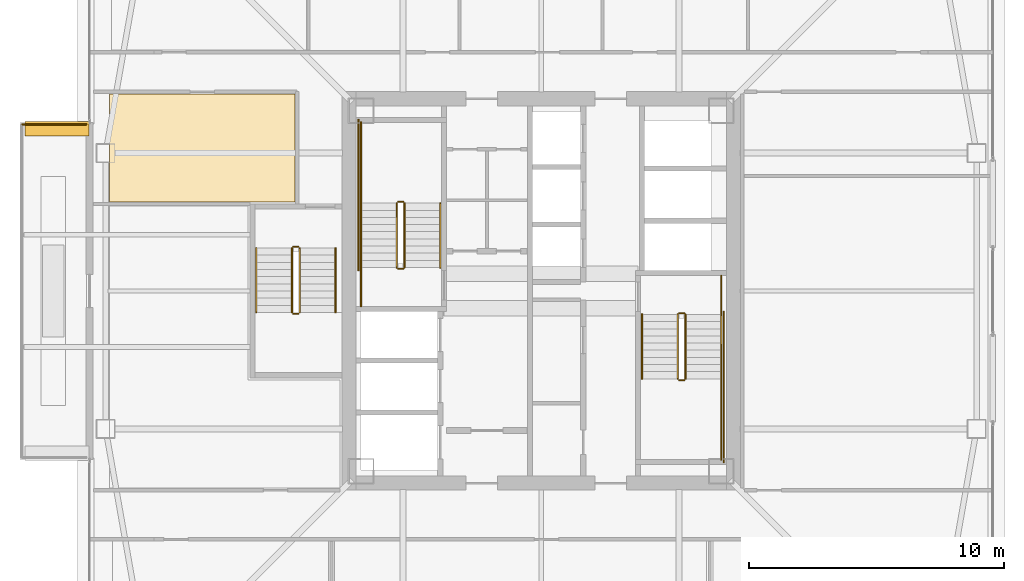
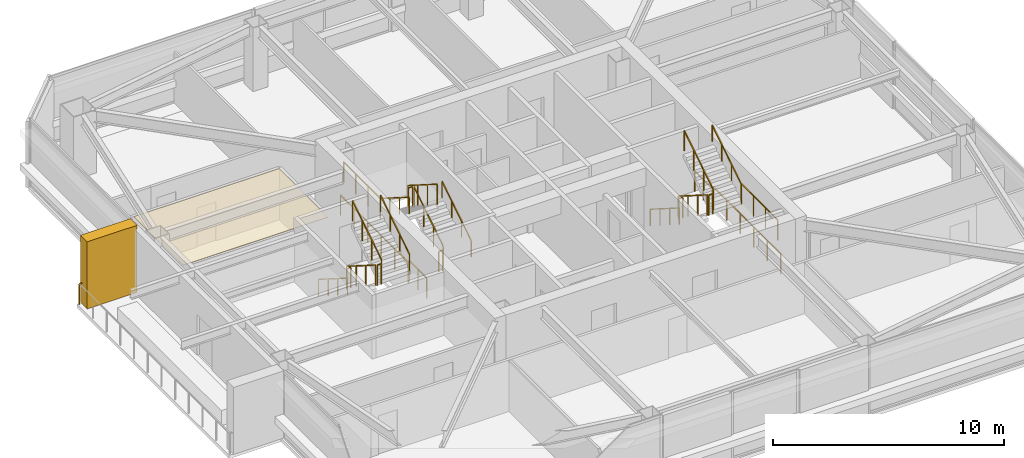
# One storey, part 38 of 43: 25 railings, 2 coverings.
"""IFC4 building model written with IfcOpenShell, lengths in metres."""

from ifc_helpers import new_model, si_unit, direction, frame, origin, origin_2d, place, context, subcontext, project, spatial, polyline, rectangle, outline, extrude, material, layer, layer_set, type_object, element, save


model = new_model("IFC4")

# Units and contexts
model_context = context("Model", 3, precision=1e-05, world=origin(), true_north=direction((0.0, 1.0)))
body_context = subcontext(model_context, "Body", "Model", "MODEL_VIEW")
ifc_project = project(units=[si_unit("LENGTHUNIT", "METRE"), si_unit("AREAUNIT", "SQUARE_METRE"), si_unit("VOLUMEUNIT", "CUBIC_METRE"), si_unit("PLANEANGLEUNIT", "RADIAN"), si_unit("MASSUNIT", "GRAM", prefix="KILO")], contexts=[model_context])

# Site, building, storey
site_placement = place(None, origin())
site = spatial("IfcSite", under=ifc_project, at=site_placement, CompositionType="ELEMENT")
building_placement = place(site_placement, origin())
building = spatial("IfcBuilding", under=site, at=building_placement, Name="Tashvorn Skyway Center", CompositionType="ELEMENT")
storey_placement = place(building_placement, frame((0.0, 0.0, 188.949951171875)))
storey = spatial("IfcBuildingStorey", under=building, at=storey_placement, Name="L51", CompositionType="ELEMENT", Elevation=188.949951171875)

# Coverings
ifc_material_1 = material(Name="Mineral-fibre acoustic ceiling tile on suspended grid")
ifc_layer_1 = layer(ifc_material_1, 0.02001953125)
ifc_layer_set_1 = layer_set([ifc_layer_1], Name="Mineral-fibre acoustic ceiling tile on suspended grid")
covering_type_1 = type_object("IfcCoveringType", Name="COV-CEIL-20", PredefinedType="CEILING", material=ifc_layer_set_1)
covering_1_placement = place(storey_placement, frame((0.0, 0.0, 2.703125)))
element("IfcCovering", 1, at=covering_1_placement, inside=storey, type_object=covering_type_1, Name="Tower 1 L51 Design Studio Acoustic Ceiling", PredefinedType="CEILING", context=body_context, shape_type="SweptSolid", body=[
    extrude(outline(polyline([(32.3701171875, 39.719970703125), (32.3701171875, 35.47998046875), (25.10009765625, 35.47998046875), (25.10009765625, 39.719970703125), (32.3701171875, 39.719970703125)])), origin(), (0.0, 0.0, 1.0), 0.02001953125),
])
ifc_material_2 = material(Name="Precast concrete C40/50", Category="concrete")
ifc_layer_2 = layer(ifc_material_2, 0.35009765625)
ifc_layer_set_2 = layer_set([ifc_layer_2], Name="Precast concrete C40/50")
covering_type_2 = type_object("IfcCoveringType", Name="COV-STONE-TRIM", PredefinedType="CLADDING", material=ifc_layer_set_2)
covering_2_placement = place(storey_placement, frame((23.050048828125, 38.35009765625, 0.0), z_axis=(0.0, 0.0, 1.0), x_axis=(0.0, 1.0, 0.0)))
element("IfcCovering", 2, at=covering_2_placement, inside=storey, type_object=covering_type_2, Name="Tower 1 L51 Sky Garden Loggia Pier R", PredefinedType="CLADDING", context=body_context, shape_type="SweptSolid", body=[
    extrude(rectangle(XDim=0.580078125, YDim=2.5, at=origin_2d()), origin(), (0.0, 0.0, 1.0), 3.550048828125),
])

# Railings
ifc_material_3 = material(Name="Galvanized steel S355", Category="steel")
railing_type_1 = type_object("IfcRailingType", Name="RAIL-GUARD-1120", PredefinedType="GUARDRAIL", material=ifc_material_3)
railing_1_placement = place(storey_placement, frame((21.679931640625, 38.52001953125, 0.0)))
element("IfcRailing", 3, at=railing_1_placement, inside=storey, type_object=railing_type_1, Name="L51 Tower 1 Terrace Guardrail 03", PredefinedType="GUARDRAIL", context=body_context, shape_type="SweptSolid", body=[
    extrude(rectangle(XDim=0.048095703125, YDim=0.048095703125, at=origin_2d()), frame((0.0, 0.0, 1.09619140625), z_axis=(1.0, 0.0, 0.0), x_axis=(0.0, 1.0, 0.0)), (0.0, 0.0, 1.0), 2.52001953125),
    extrude(rectangle(XDim=0.0419921875, YDim=0.0419921875, at=origin_2d()), origin(), (0.0, 0.0, 1.0), 1.072021484375),
    extrude(rectangle(XDim=0.0419921875, YDim=0.0419921875, at=origin_2d()), frame((0.840087890625, 0.0, 0.0)), (0.0, 0.0, 1.0), 1.072021484375),
    extrude(rectangle(XDim=0.0419921875, YDim=0.0419921875, at=origin_2d()), frame((1.679931640625, 0.0, 0.0)), (0.0, 0.0, 1.0), 1.072021484375),
    extrude(rectangle(XDim=0.0419921875, YDim=0.0419921875, at=origin_2d()), frame((2.52001953125, 0.0, 0.0)), (0.0, 0.0, 1.0), 1.072021484375),
])
ifc_material_4 = material(Name="Brushed stainless steel 316", Category="steel")
railing_type_2 = type_object("IfcRailingType", Name="RAIL-HAND-920", PredefinedType="HANDRAIL", material=ifc_material_4)
railing_2_placement = place(storey_placement, frame((38.050048828125, 32.919921875, 0.177490234375)))
element("IfcRailing", 4, at=railing_2_placement, inside=storey, type_object=railing_type_2, Name="L51 ST-T1-1 stair handrail 1", PredefinedType="HANDRAIL", context=body_context, shape_type="SweptSolid", body=[
    extrude(rectangle(XDim=0.048095703125, YDim=0.048095703125, at=origin_2d()), frame((0.0, 0.0, 0.8759765625), z_axis=(0.0, 0.84456994832, 0.535445237532), x_axis=(-1.0, 0.0, 0.0)), (0.0, 0.0, 1.0), 2.98388671875),
    extrude(rectangle(XDim=0.0419921875, YDim=0.0419921875, at=origin_2d()), origin(), (0.0, 0.0, 1.0), 0.851806640625),
    extrude(rectangle(XDim=0.0419921875, YDim=0.0419921875, at=origin_2d()), frame((0.0, 0.840087890625, 0.532470703125)), (0.0, 0.0, 1.0), 0.851806640625),
    extrude(rectangle(XDim=0.0419921875, YDim=0.0419921875, at=origin_2d()), frame((0.0, 1.679931640625, 1.065185546875)), (0.0, 0.0, 1.0), 0.851806640625),
    extrude(rectangle(XDim=0.0419921875, YDim=0.0419921875, at=origin_2d()), frame((0.0, 2.52001953125, 1.59765625)), (0.0, 0.0, 1.0), 0.851806640625),
])
railing_3_placement = place(storey_placement, frame((34.949951171875, 35.43994140625, 1.95263671875)))
element("IfcRailing", 5, at=railing_3_placement, inside=storey, type_object=railing_type_2, Name="L51 ST-T1-1 stair handrail 2", PredefinedType="HANDRAIL", context=body_context, shape_type="SweptSolid", body=[
    extrude(rectangle(XDim=0.048095703125, YDim=0.048095703125, at=origin_2d()), frame((0.0, 0.0, 0.8759765625), z_axis=(0.0, -0.84460694969, 0.535386869969), x_axis=(1.0, 0.0, 0.0)), (0.0, 0.0, 1.0), 2.983642578125),
    extrude(rectangle(XDim=0.0419921875, YDim=0.0419921875, at=origin_2d()), origin(), (0.0, 0.0, 1.0), 0.851806640625),
    extrude(rectangle(XDim=0.0419921875, YDim=0.0419921875, at=origin_2d()), frame((0.0, -0.840087890625, 0.532470703125)), (0.0, 0.0, 1.0), 0.851806640625),
    extrude(rectangle(XDim=0.0419921875, YDim=0.0419921875, at=origin_2d()), frame((0.0, -1.679931640625, 1.06494140625)), (0.0, 0.0, 1.0), 0.851806640625),
    extrude(rectangle(XDim=0.0419921875, YDim=0.0419921875, at=origin_2d()), frame((0.0, -2.52001953125, 1.597412109375)), (0.0, 0.0, 1.0), 0.851806640625),
])
railing_4_placement = place(storey_placement, frame((45.949951171875, 31.080078125, 0.177490234375)))
element("IfcRailing", 6, at=railing_4_placement, inside=storey, type_object=railing_type_2, Name="L51 ST-T1-2 stair handrail 1", PredefinedType="HANDRAIL", context=body_context, shape_type="SweptSolid", body=[
    extrude(rectangle(XDim=0.048095703125, YDim=0.048095703125, at=origin_2d()), frame((0.0, 0.0, 0.8759765625), z_axis=(0.0, -0.84456994832, 0.535445237532), x_axis=(1.0, 0.0, 0.0)), (0.0, 0.0, 1.0), 2.98388671875),
    extrude(rectangle(XDim=0.0419921875, YDim=0.0419921875, at=origin_2d()), origin(), (0.0, 0.0, 1.0), 0.851806640625),
    extrude(rectangle(XDim=0.0419921875, YDim=0.0419921875, at=origin_2d()), frame((0.0, -0.840087890625, 0.532470703125)), (0.0, 0.0, 1.0), 0.851806640625),
    extrude(rectangle(XDim=0.0419921875, YDim=0.0419921875, at=origin_2d()), frame((0.0, -1.679931640625, 1.065185546875)), (0.0, 0.0, 1.0), 0.851806640625),
    extrude(rectangle(XDim=0.0419921875, YDim=0.0419921875, at=origin_2d()), frame((0.0, -2.52001953125, 1.59765625)), (0.0, 0.0, 1.0), 0.851806640625),
])
railing_5_placement = place(storey_placement, frame((49.050048828125, 28.56005859375, 1.95263671875)))
element("IfcRailing", 7, at=railing_5_placement, inside=storey, type_object=railing_type_2, Name="L51 ST-T1-2 stair handrail 2", PredefinedType="HANDRAIL", context=body_context, shape_type="SweptSolid", body=[
    extrude(rectangle(XDim=0.048095703125, YDim=0.048095703125, at=origin_2d()), frame((0.0, 0.0, 0.8759765625), z_axis=(0.0, 0.84460694969, 0.535386869969), x_axis=(-1.0, 0.0, 0.0)), (0.0, 0.0, 1.0), 2.983642578125),
    extrude(rectangle(XDim=0.0419921875, YDim=0.0419921875, at=origin_2d()), origin(), (0.0, 0.0, 1.0), 0.851806640625),
    extrude(rectangle(XDim=0.0419921875, YDim=0.0419921875, at=origin_2d()), frame((0.0, 0.840087890625, 0.532470703125)), (0.0, 0.0, 1.0), 0.851806640625),
    extrude(rectangle(XDim=0.0419921875, YDim=0.0419921875, at=origin_2d()), frame((0.0, 1.679931640625, 1.06494140625)), (0.0, 0.0, 1.0), 0.851806640625),
    extrude(rectangle(XDim=0.0419921875, YDim=0.0419921875, at=origin_2d()), frame((0.0, 2.52001953125, 1.597412109375)), (0.0, 0.0, 1.0), 0.851806640625),
])
railing_6_placement = place(storey_placement, frame((30.85009765625, 33.679931640625, 0.177490234375)))
element("IfcRailing", 8, at=railing_6_placement, inside=storey, type_object=railing_type_2, Name="L51 ST-T1-3 stair handrail 1", PredefinedType="HANDRAIL", context=body_context, shape_type="SweptSolid", body=[
    extrude(rectangle(XDim=0.048095703125, YDim=0.048095703125, at=origin_2d()), frame((0.0, 0.0, 0.8759765625), z_axis=(0.0, -0.84456994832, 0.535445237532), x_axis=(1.0, 0.0, 0.0)), (0.0, 0.0, 1.0), 2.98388671875),
    extrude(rectangle(XDim=0.0419921875, YDim=0.0419921875, at=origin_2d()), origin(), (0.0, 0.0, 1.0), 0.851806640625),
    extrude(rectangle(XDim=0.0419921875, YDim=0.0419921875, at=origin_2d()), frame((0.0, -0.840087890625, 0.532470703125)), (0.0, 0.0, 1.0), 0.851806640625),
    extrude(rectangle(XDim=0.0419921875, YDim=0.0419921875, at=origin_2d()), frame((0.0, -1.679931640625, 1.065185546875)), (0.0, 0.0, 1.0), 0.851806640625),
    extrude(rectangle(XDim=0.0419921875, YDim=0.0419921875, at=origin_2d()), frame((0.0, -2.52001953125, 1.59765625)), (0.0, 0.0, 1.0), 0.851806640625),
])
railing_7_placement = place(storey_placement, frame((33.949951171875, 31.159912109375, 1.95263671875)))
element("IfcRailing", 9, at=railing_7_placement, inside=storey, type_object=railing_type_2, Name="L51 ST-T1-3 stair handrail 2", PredefinedType="HANDRAIL", context=body_context, shape_type="SweptSolid", body=[
    extrude(rectangle(XDim=0.048095703125, YDim=0.048095703125, at=origin_2d()), frame((0.0, 0.0, 0.8759765625), z_axis=(0.0, 0.84460694969, 0.535386869969), x_axis=(-1.0, 0.0, 0.0)), (0.0, 0.0, 1.0), 2.983642578125),
    extrude(rectangle(XDim=0.0419921875, YDim=0.0419921875, at=origin_2d()), origin(), (0.0, 0.0, 1.0), 0.851806640625),
    extrude(rectangle(XDim=0.0419921875, YDim=0.0419921875, at=origin_2d()), frame((0.0, 0.840087890625, 0.532470703125)), (0.0, 0.0, 1.0), 0.851806640625),
    extrude(rectangle(XDim=0.0419921875, YDim=0.0419921875, at=origin_2d()), frame((0.0, 1.679931640625, 1.06494140625)), (0.0, 0.0, 1.0), 0.851806640625),
    extrude(rectangle(XDim=0.0419921875, YDim=0.0419921875, at=origin_2d()), frame((0.0, 2.52001953125, 1.597412109375)), (0.0, 0.0, 1.0), 0.851806640625),
])
ifc_material_5 = material(Name="Painted galvanized steel S355", Category="steel")
railing_type_3 = type_object("IfcRailingType", Name="RAIL-STGUARD-1100", PredefinedType="GUARDRAIL", material=ifc_material_5)
railing_8_placement = place(storey_placement, frame((36.64990234375, 32.919921875, 0.177490234375)))
element("IfcRailing", 10, at=railing_8_placement, inside=storey, type_object=railing_type_3, Name="L51 ST-T1-1 stair guard 1", PredefinedType="GUARDRAIL", context=body_context, shape_type="SweptSolid", body=[
    extrude(rectangle(XDim=0.048095703125, YDim=0.048095703125, at=origin_2d()), frame((0.0, 0.0, 1.076171875), z_axis=(0.0, 0.84456994832, 0.535445237532), x_axis=(-1.0, 0.0, 0.0)), (0.0, 0.0, 1.0), 2.98388671875),
    extrude(rectangle(XDim=0.0419921875, YDim=0.0419921875, at=origin_2d()), origin(), (0.0, 0.0, 1.0), 1.052001953125),
    extrude(rectangle(XDim=0.0419921875, YDim=0.0419921875, at=origin_2d()), frame((0.0, 0.840087890625, 0.532470703125)), (0.0, 0.0, 1.0), 1.052001953125),
    extrude(rectangle(XDim=0.0419921875, YDim=0.0419921875, at=origin_2d()), frame((0.0, 1.679931640625, 1.065185546875)), (0.0, 0.0, 1.0), 1.052001953125),
    extrude(rectangle(XDim=0.0419921875, YDim=0.0419921875, at=origin_2d()), frame((0.0, 2.52001953125, 1.59765625)), (0.0, 0.0, 1.0), 1.052001953125),
])
railing_9_placement = place(storey_placement, frame((36.60009765625, 35.489990234375, 1.775146484375)))
element("IfcRailing", 11, at=railing_9_placement, inside=storey, type_object=railing_type_3, Name="L51 ST-T1-1 stair guard 2", PredefinedType="GUARDRAIL", context=body_context, shape_type="SweptSolid", body=[
    extrude(rectangle(XDim=0.048095703125, YDim=0.048095703125, at=origin_2d()), frame((0.0, 0.0, 1.076171875), z_axis=(-1.0, 0.0, 0.0), x_axis=(0.0, -1.0, 0.0)), (0.0, 0.0, 1.0), 0.2001953125),
    extrude(rectangle(XDim=0.0419921875, YDim=0.0419921875, at=origin_2d()), origin(), (0.0, 0.0, 1.0), 1.052001953125),
    extrude(rectangle(XDim=0.0419921875, YDim=0.0419921875, at=origin_2d()), frame((-0.2001953125, 0.0, 0.0)), (0.0, 0.0, 1.0), 1.052001953125),
])
railing_10_placement = place(storey_placement, frame((34.949951171875, 35.43994140625, 1.775146484375)))
element("IfcRailing", 12, at=railing_10_placement, inside=storey, type_object=railing_type_3, Name="L51 ST-T1-1 stair guard 3", PredefinedType="GUARDRAIL", context=body_context, shape_type="SweptSolid", body=[
    extrude(rectangle(XDim=0.048095703125, YDim=0.048095703125, at=origin_2d()), frame((0.0, 0.0, 1.076171875), z_axis=(0.0, 1.0, 0.0), x_axis=(-1.0, 0.0, 0.0)), (0.0, 0.0, 1.0), 3.16015625),
    extrude(rectangle(XDim=0.0419921875, YDim=0.0419921875, at=origin_2d()), origin(), (0.0, 0.0, 1.0), 1.052001953125),
    extrude(rectangle(XDim=0.0419921875, YDim=0.0419921875, at=origin_2d()), frame((0.0, 1.053466796875, 0.0)), (0.0, 0.0, 1.0), 1.052001953125),
    extrude(rectangle(XDim=0.0419921875, YDim=0.0419921875, at=origin_2d()), frame((0.0, 2.106689453125, 0.0)), (0.0, 0.0, 1.0), 1.052001953125),
    extrude(rectangle(XDim=0.0419921875, YDim=0.0419921875, at=origin_2d()), frame((0.0, 3.16015625, 0.0)), (0.0, 0.0, 1.0), 1.052001953125),
])
railing_11_placement = place(storey_placement, frame((36.35009765625, 35.43994140625, 1.95263671875)))
element("IfcRailing", 13, at=railing_11_placement, inside=storey, type_object=railing_type_3, Name="L51 ST-T1-1 stair guard 4", PredefinedType="GUARDRAIL", context=body_context, shape_type="SweptSolid", body=[
    extrude(rectangle(XDim=0.048095703125, YDim=0.048095703125, at=origin_2d()), frame((0.0, 0.0, 1.076171875), z_axis=(0.0, -0.84460694969, 0.535386869969), x_axis=(1.0, 0.0, 0.0)), (0.0, 0.0, 1.0), 2.983642578125),
    extrude(rectangle(XDim=0.0419921875, YDim=0.0419921875, at=origin_2d()), origin(), (0.0, 0.0, 1.0), 1.052001953125),
    extrude(rectangle(XDim=0.0419921875, YDim=0.0419921875, at=origin_2d()), frame((0.0, -0.840087890625, 0.532470703125)), (0.0, 0.0, 1.0), 1.052001953125),
    extrude(rectangle(XDim=0.0419921875, YDim=0.0419921875, at=origin_2d()), frame((0.0, -1.679931640625, 1.06494140625)), (0.0, 0.0, 1.0), 1.052001953125),
    extrude(rectangle(XDim=0.0419921875, YDim=0.0419921875, at=origin_2d()), frame((0.0, -2.52001953125, 1.597412109375)), (0.0, 0.0, 1.0), 1.052001953125),
])
railing_12_placement = place(storey_placement, frame((36.60009765625, 32.8701171875, 0.0)))
element("IfcRailing", 14, at=railing_12_placement, inside=storey, type_object=railing_type_3, Name="L51 ST-T1-1 stair guard 5", PredefinedType="GUARDRAIL", context=body_context, shape_type="SweptSolid", body=[
    extrude(rectangle(XDim=0.048095703125, YDim=0.048095703125, at=origin_2d()), frame((0.0, 0.0, 1.076171875), z_axis=(-1.0, 0.0, 0.0), x_axis=(0.0, -1.0, 0.0)), (0.0, 0.0, 1.0), 0.2001953125),
    extrude(rectangle(XDim=0.0419921875, YDim=0.0419921875, at=origin_2d()), origin(), (0.0, 0.0, 1.0), 1.052001953125),
    extrude(rectangle(XDim=0.0419921875, YDim=0.0419921875, at=origin_2d()), frame((-0.2001953125, 0.0, 0.0)), (0.0, 0.0, 1.0), 1.052001953125),
])
railing_13_placement = place(storey_placement, frame((34.949951171875, 31.39990234375, 0.0)))
element("IfcRailing", 15, at=railing_13_placement, inside=storey, type_object=railing_type_3, Name="L51 ST-T1-1 stair guard 6", PredefinedType="GUARDRAIL", context=body_context, shape_type="SweptSolid", body=[
    extrude(rectangle(XDim=0.048095703125, YDim=0.048095703125, at=origin_2d()), frame((0.0, 0.0, 1.076171875), z_axis=(0.0, 1.0, 0.0), x_axis=(-1.0, 0.0, 0.0)), (0.0, 0.0, 1.0), 1.52001953125),
    extrude(rectangle(XDim=0.0419921875, YDim=0.0419921875, at=origin_2d()), origin(), (0.0, 0.0, 1.0), 1.052001953125),
    extrude(rectangle(XDim=0.0419921875, YDim=0.0419921875, at=origin_2d()), frame((0.0, 0.760009765625, 0.0)), (0.0, 0.0, 1.0), 1.052001953125),
    extrude(rectangle(XDim=0.0419921875, YDim=0.0419921875, at=origin_2d()), frame((0.0, 1.52001953125, 0.0)), (0.0, 0.0, 1.0), 1.052001953125),
])
railing_14_placement = place(storey_placement, frame((34.85009765625, 32.820068359375, 0.0)))
element("IfcRailing", 16, at=railing_14_placement, inside=storey, type_object=railing_type_3, Name="L51 ST-T1-1 stair guard 7", PredefinedType="GUARDRAIL", context=body_context, shape_type="SweptSolid", body=[
    extrude(rectangle(XDim=0.048095703125, YDim=0.048095703125, at=origin_2d()), frame((0.0, 0.0, 1.076171875), z_axis=(0.0, 1.0, 0.0), x_axis=(-1.0, 0.0, 0.0)), (0.0, 0.0, 1.0), 5.8798828125),
    extrude(rectangle(XDim=0.0419921875, YDim=0.0419921875, at=origin_2d()), origin(), (0.0, 0.0, 1.0), 1.052001953125),
    extrude(rectangle(XDim=0.0419921875, YDim=0.0419921875, at=origin_2d()), frame((0.0, 1.176025390625, 0.0)), (0.0, 0.0, 1.0), 1.052001953125),
    extrude(rectangle(XDim=0.0419921875, YDim=0.0419921875, at=origin_2d()), frame((0.0, 2.35205078125, 0.0)), (0.0, 0.0, 1.0), 1.052001953125),
    extrude(rectangle(XDim=0.0419921875, YDim=0.0419921875, at=origin_2d()), frame((0.0, 3.52783203125, 0.0)), (0.0, 0.0, 1.0), 1.052001953125),
    extrude(rectangle(XDim=0.0419921875, YDim=0.0419921875, at=origin_2d()), frame((0.0, 4.703857421875, 0.0)), (0.0, 0.0, 1.0), 1.052001953125),
    extrude(rectangle(XDim=0.0419921875, YDim=0.0419921875, at=origin_2d()), frame((0.0, 5.8798828125, 0.0)), (0.0, 0.0, 1.0), 1.052001953125),
])
railing_15_placement = place(storey_placement, frame((47.35009765625, 31.080078125, 0.177490234375)))
element("IfcRailing", 17, at=railing_15_placement, inside=storey, type_object=railing_type_3, Name="L51 ST-T1-2 stair guard 1", PredefinedType="GUARDRAIL", context=body_context, shape_type="SweptSolid", body=[
    extrude(rectangle(XDim=0.048095703125, YDim=0.048095703125, at=origin_2d()), frame((0.0, 0.0, 1.076171875), z_axis=(0.0, -0.84456994832, 0.535445237532), x_axis=(1.0, 0.0, 0.0)), (0.0, 0.0, 1.0), 2.98388671875),
    extrude(rectangle(XDim=0.0419921875, YDim=0.0419921875, at=origin_2d()), origin(), (0.0, 0.0, 1.0), 1.052001953125),
    extrude(rectangle(XDim=0.0419921875, YDim=0.0419921875, at=origin_2d()), frame((0.0, -0.840087890625, 0.532470703125)), (0.0, 0.0, 1.0), 1.052001953125),
    extrude(rectangle(XDim=0.0419921875, YDim=0.0419921875, at=origin_2d()), frame((0.0, -1.679931640625, 1.065185546875)), (0.0, 0.0, 1.0), 1.052001953125),
    extrude(rectangle(XDim=0.0419921875, YDim=0.0419921875, at=origin_2d()), frame((0.0, -2.52001953125, 1.59765625)), (0.0, 0.0, 1.0), 1.052001953125),
])
railing_16_placement = place(storey_placement, frame((47.39990234375, 28.510009765625, 1.775146484375)))
element("IfcRailing", 18, at=railing_16_placement, inside=storey, type_object=railing_type_3, Name="L51 ST-T1-2 stair guard 2", PredefinedType="GUARDRAIL", context=body_context, shape_type="SweptSolid", body=[
    extrude(rectangle(XDim=0.048095703125, YDim=0.048095703125, at=origin_2d()), frame((0.0, 0.0, 1.076171875), z_axis=(1.0, 0.0, 0.0), x_axis=(0.0, 1.0, 0.0)), (0.0, 0.0, 1.0), 0.2001953125),
    extrude(rectangle(XDim=0.0419921875, YDim=0.0419921875, at=origin_2d()), origin(), (0.0, 0.0, 1.0), 1.052001953125),
    extrude(rectangle(XDim=0.0419921875, YDim=0.0419921875, at=origin_2d()), frame((0.2001953125, 0.0, 0.0)), (0.0, 0.0, 1.0), 1.052001953125),
])
railing_17_placement = place(storey_placement, frame((49.050048828125, 28.56005859375, 1.775146484375)))
element("IfcRailing", 19, at=railing_17_placement, inside=storey, type_object=railing_type_3, Name="L51 ST-T1-2 stair guard 3", PredefinedType="GUARDRAIL", context=body_context, shape_type="SweptSolid", body=[
    extrude(rectangle(XDim=0.048095703125, YDim=0.048095703125, at=origin_2d()), frame((0.0, 0.0, 1.076171875), z_axis=(0.0, -1.0, 0.0), x_axis=(1.0, 0.0, 0.0)), (0.0, 0.0, 1.0), 3.16015625),
    extrude(rectangle(XDim=0.0419921875, YDim=0.0419921875, at=origin_2d()), origin(), (0.0, 0.0, 1.0), 1.052001953125),
    extrude(rectangle(XDim=0.0419921875, YDim=0.0419921875, at=origin_2d()), frame((0.0, -1.053466796875, 0.0)), (0.0, 0.0, 1.0), 1.052001953125),
    extrude(rectangle(XDim=0.0419921875, YDim=0.0419921875, at=origin_2d()), frame((0.0, -2.106689453125, 0.0)), (0.0, 0.0, 1.0), 1.052001953125),
    extrude(rectangle(XDim=0.0419921875, YDim=0.0419921875, at=origin_2d()), frame((0.0, -3.16015625, 0.0)), (0.0, 0.0, 1.0), 1.052001953125),
])
railing_18_placement = place(storey_placement, frame((47.64990234375, 28.56005859375, 1.95263671875)))
element("IfcRailing", 20, at=railing_18_placement, inside=storey, type_object=railing_type_3, Name="L51 ST-T1-2 stair guard 4", PredefinedType="GUARDRAIL", context=body_context, shape_type="SweptSolid", body=[
    extrude(rectangle(XDim=0.048095703125, YDim=0.048095703125, at=origin_2d()), frame((0.0, 0.0, 1.076171875), z_axis=(0.0, 0.84460694969, 0.535386869969), x_axis=(-1.0, 0.0, 0.0)), (0.0, 0.0, 1.0), 2.983642578125),
    extrude(rectangle(XDim=0.0419921875, YDim=0.0419921875, at=origin_2d()), origin(), (0.0, 0.0, 1.0), 1.052001953125),
    extrude(rectangle(XDim=0.0419921875, YDim=0.0419921875, at=origin_2d()), frame((0.0, 0.840087890625, 0.532470703125)), (0.0, 0.0, 1.0), 1.052001953125),
    extrude(rectangle(XDim=0.0419921875, YDim=0.0419921875, at=origin_2d()), frame((0.0, 1.679931640625, 1.06494140625)), (0.0, 0.0, 1.0), 1.052001953125),
    extrude(rectangle(XDim=0.0419921875, YDim=0.0419921875, at=origin_2d()), frame((0.0, 2.52001953125, 1.597412109375)), (0.0, 0.0, 1.0), 1.052001953125),
])
railing_19_placement = place(storey_placement, frame((47.39990234375, 31.1298828125, 0.0)))
element("IfcRailing", 21, at=railing_19_placement, inside=storey, type_object=railing_type_3, Name="L51 ST-T1-2 stair guard 5", PredefinedType="GUARDRAIL", context=body_context, shape_type="SweptSolid", body=[
    extrude(rectangle(XDim=0.048095703125, YDim=0.048095703125, at=origin_2d()), frame((0.0, 0.0, 1.076171875), z_axis=(1.0, 0.0, 0.0), x_axis=(0.0, 1.0, 0.0)), (0.0, 0.0, 1.0), 0.2001953125),
    extrude(rectangle(XDim=0.0419921875, YDim=0.0419921875, at=origin_2d()), origin(), (0.0, 0.0, 1.0), 1.052001953125),
    extrude(rectangle(XDim=0.0419921875, YDim=0.0419921875, at=origin_2d()), frame((0.2001953125, 0.0, 0.0)), (0.0, 0.0, 1.0), 1.052001953125),
])
railing_20_placement = place(storey_placement, frame((49.050048828125, 32.60009765625, 0.0)))
element("IfcRailing", 22, at=railing_20_placement, inside=storey, type_object=railing_type_3, Name="L51 ST-T1-2 stair guard 6", PredefinedType="GUARDRAIL", context=body_context, shape_type="SweptSolid", body=[
    extrude(rectangle(XDim=0.048095703125, YDim=0.048095703125, at=origin_2d()), frame((0.0, 0.0, 1.076171875), z_axis=(0.0, -1.0, 0.0), x_axis=(1.0, 0.0, 0.0)), (0.0, 0.0, 1.0), 1.52001953125),
    extrude(rectangle(XDim=0.0419921875, YDim=0.0419921875, at=origin_2d()), origin(), (0.0, 0.0, 1.0), 1.052001953125),
    extrude(rectangle(XDim=0.0419921875, YDim=0.0419921875, at=origin_2d()), frame((0.0, -0.760009765625, 0.0)), (0.0, 0.0, 1.0), 1.052001953125),
    extrude(rectangle(XDim=0.0419921875, YDim=0.0419921875, at=origin_2d()), frame((0.0, -1.52001953125, 0.0)), (0.0, 0.0, 1.0), 1.052001953125),
])
railing_21_placement = place(storey_placement, frame((49.14990234375, 31.179931640625, 0.0)))
element("IfcRailing", 23, at=railing_21_placement, inside=storey, type_object=railing_type_3, Name="L51 ST-T1-2 stair guard 7", PredefinedType="GUARDRAIL", context=body_context, shape_type="SweptSolid", body=[
    extrude(rectangle(XDim=0.048095703125, YDim=0.048095703125, at=origin_2d()), frame((0.0, 0.0, 1.076171875), z_axis=(0.0, -1.0, 0.0), x_axis=(1.0, 0.0, 0.0)), (0.0, 0.0, 1.0), 5.8798828125),
    extrude(rectangle(XDim=0.0419921875, YDim=0.0419921875, at=origin_2d()), origin(), (0.0, 0.0, 1.0), 1.052001953125),
    extrude(rectangle(XDim=0.0419921875, YDim=0.0419921875, at=origin_2d()), frame((0.0, -1.176025390625, 0.0)), (0.0, 0.0, 1.0), 1.052001953125),
    extrude(rectangle(XDim=0.0419921875, YDim=0.0419921875, at=origin_2d()), frame((0.0, -2.35205078125, 0.0)), (0.0, 0.0, 1.0), 1.052001953125),
    extrude(rectangle(XDim=0.0419921875, YDim=0.0419921875, at=origin_2d()), frame((0.0, -3.52783203125, 0.0)), (0.0, 0.0, 1.0), 1.052001953125),
    extrude(rectangle(XDim=0.0419921875, YDim=0.0419921875, at=origin_2d()), frame((0.0, -4.703857421875, 0.0)), (0.0, 0.0, 1.0), 1.052001953125),
    extrude(rectangle(XDim=0.0419921875, YDim=0.0419921875, at=origin_2d()), frame((0.0, -5.8798828125, 0.0)), (0.0, 0.0, 1.0), 1.052001953125),
])
railing_22_placement = place(storey_placement, frame((32.25, 33.679931640625, 0.177490234375)))
element("IfcRailing", 24, at=railing_22_placement, inside=storey, type_object=railing_type_3, Name="L51 ST-T1-3 stair guard 1", PredefinedType="GUARDRAIL", context=body_context, shape_type="SweptSolid", body=[
    extrude(rectangle(XDim=0.048095703125, YDim=0.048095703125, at=origin_2d()), frame((0.0, 0.0, 1.076171875), z_axis=(0.0, -0.84456994832, 0.535445237532), x_axis=(1.0, 0.0, 0.0)), (0.0, 0.0, 1.0), 2.98388671875),
    extrude(rectangle(XDim=0.0419921875, YDim=0.0419921875, at=origin_2d()), origin(), (0.0, 0.0, 1.0), 1.052001953125),
    extrude(rectangle(XDim=0.0419921875, YDim=0.0419921875, at=origin_2d()), frame((0.0, -0.840087890625, 0.532470703125)), (0.0, 0.0, 1.0), 1.052001953125),
    extrude(rectangle(XDim=0.0419921875, YDim=0.0419921875, at=origin_2d()), frame((0.0, -1.679931640625, 1.065185546875)), (0.0, 0.0, 1.0), 1.052001953125),
    extrude(rectangle(XDim=0.0419921875, YDim=0.0419921875, at=origin_2d()), frame((0.0, -2.52001953125, 1.59765625)), (0.0, 0.0, 1.0), 1.052001953125),
])
railing_23_placement = place(storey_placement, frame((32.300048828125, 31.110107421875, 1.775146484375)))
element("IfcRailing", 25, at=railing_23_placement, inside=storey, type_object=railing_type_3, Name="L51 ST-T1-3 stair guard 2", PredefinedType="GUARDRAIL", context=body_context, shape_type="SweptSolid", body=[
    extrude(rectangle(XDim=0.048095703125, YDim=0.048095703125, at=origin_2d()), frame((0.0, 0.0, 1.076171875), z_axis=(1.0, 0.0, 0.0), x_axis=(0.0, 1.0, 0.0)), (0.0, 0.0, 1.0), 0.199951171875),
    extrude(rectangle(XDim=0.0419921875, YDim=0.0419921875, at=origin_2d()), origin(), (0.0, 0.0, 1.0), 1.052001953125),
    extrude(rectangle(XDim=0.0419921875, YDim=0.0419921875, at=origin_2d()), frame((0.199951171875, 0.0, 0.0)), (0.0, 0.0, 1.0), 1.052001953125),
])
railing_24_placement = place(storey_placement, frame((32.550048828125, 31.159912109375, 1.95263671875)))
element("IfcRailing", 26, at=railing_24_placement, inside=storey, type_object=railing_type_3, Name="L51 ST-T1-3 stair guard 3", PredefinedType="GUARDRAIL", context=body_context, shape_type="SweptSolid", body=[
    extrude(rectangle(XDim=0.048095703125, YDim=0.048095703125, at=origin_2d()), frame((0.0, 0.0, 1.076171875), z_axis=(0.0, 0.84460694969, 0.535386869969), x_axis=(-1.0, 0.0, 0.0)), (0.0, 0.0, 1.0), 2.983642578125),
    extrude(rectangle(XDim=0.0419921875, YDim=0.0419921875, at=origin_2d()), origin(), (0.0, 0.0, 1.0), 1.052001953125),
    extrude(rectangle(XDim=0.0419921875, YDim=0.0419921875, at=origin_2d()), frame((0.0, 0.840087890625, 0.532470703125)), (0.0, 0.0, 1.0), 1.052001953125),
    extrude(rectangle(XDim=0.0419921875, YDim=0.0419921875, at=origin_2d()), frame((0.0, 1.679931640625, 1.06494140625)), (0.0, 0.0, 1.0), 1.052001953125),
    extrude(rectangle(XDim=0.0419921875, YDim=0.0419921875, at=origin_2d()), frame((0.0, 2.52001953125, 1.597412109375)), (0.0, 0.0, 1.0), 1.052001953125),
])
railing_25_placement = place(storey_placement, frame((32.300048828125, 33.72998046875, 0.0)))
element("IfcRailing", 27, at=railing_25_placement, inside=storey, type_object=railing_type_3, Name="L51 ST-T1-3 stair guard 4", PredefinedType="GUARDRAIL", context=body_context, shape_type="SweptSolid", body=[
    extrude(rectangle(XDim=0.048095703125, YDim=0.048095703125, at=origin_2d()), frame((0.0, 0.0, 1.076171875), z_axis=(1.0, 0.0, 0.0), x_axis=(0.0, 1.0, 0.0)), (0.0, 0.0, 1.0), 0.199951171875),
    extrude(rectangle(XDim=0.0419921875, YDim=0.0419921875, at=origin_2d()), origin(), (0.0, 0.0, 1.0), 1.052001953125),
    extrude(rectangle(XDim=0.0419921875, YDim=0.0419921875, at=origin_2d()), frame((0.199951171875, 0.0, 0.0)), (0.0, 0.0, 1.0), 1.052001953125),
])

save(model, "model.ifc")
